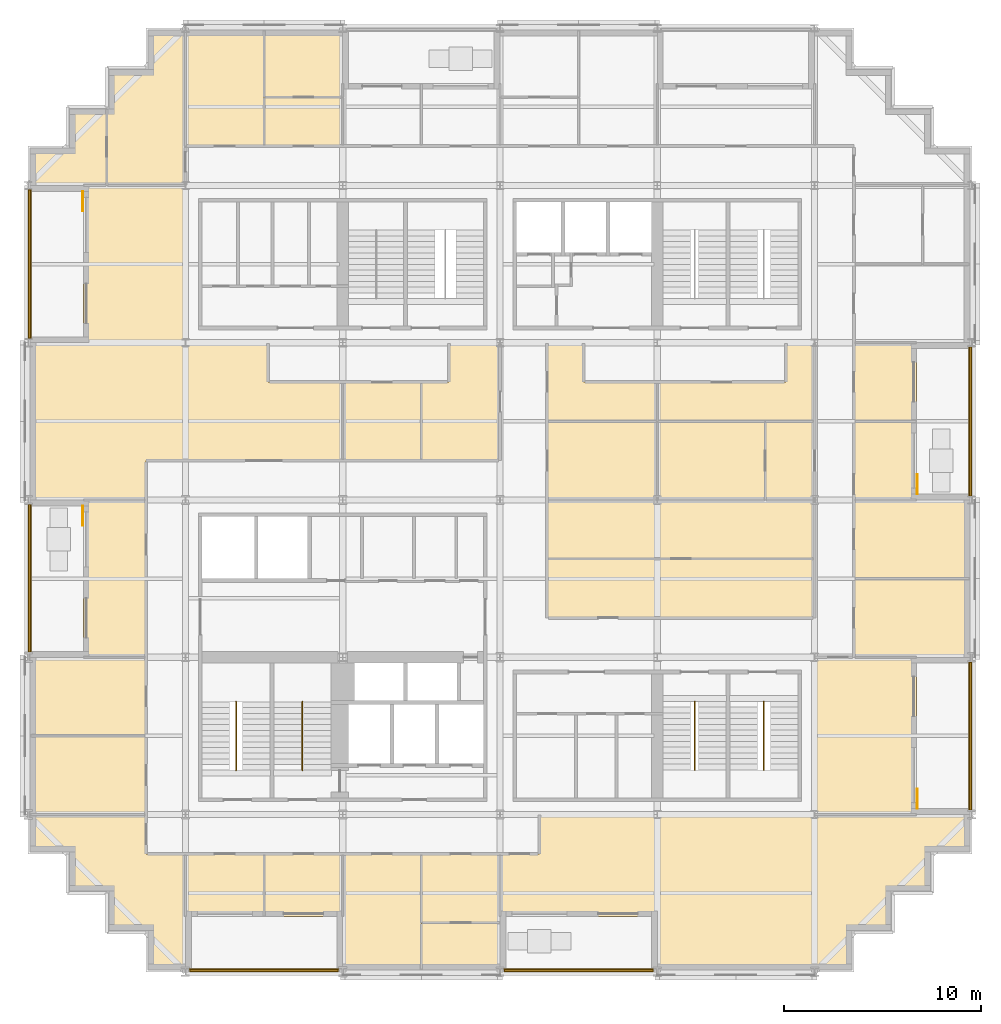
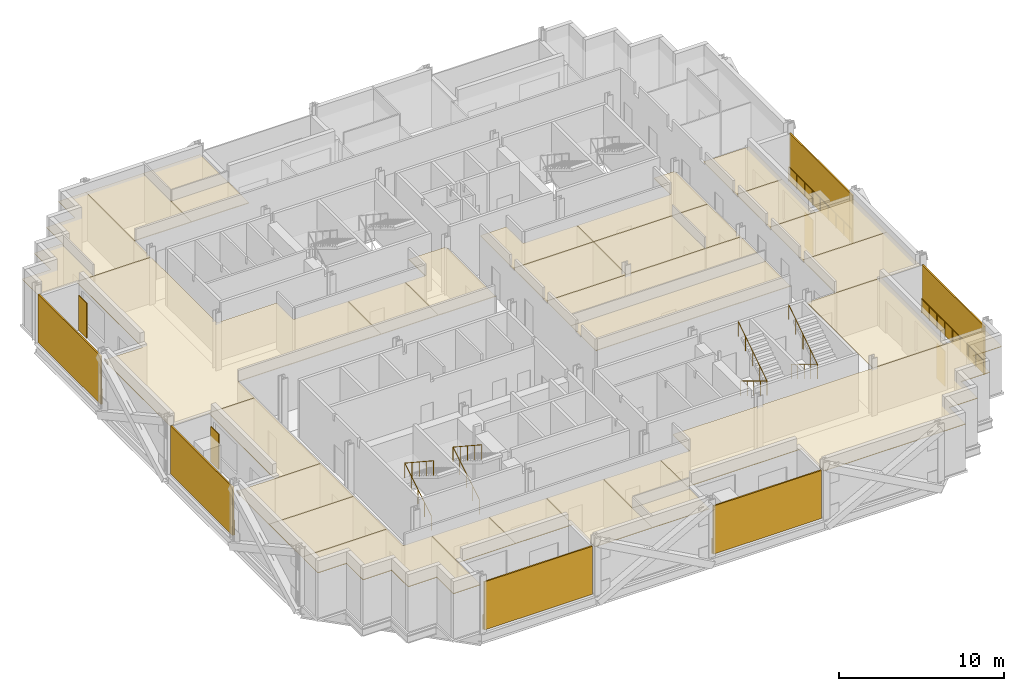
# One storey, part 13 of 15: 30 coverings, 10 railings, 10 shading devices.
"""IFC4 building model written with IfcOpenShell, lengths in metres."""

from ifc_helpers import new_model, si_unit, direction, frame, origin, origin_2d, place, context, subcontext, project, spatial, polyline, rectangle, circle, outline, extrude, material, layer, layer_set, type_object, element, save


model = new_model("IFC4")

# Units and contexts
model_context = context("Model", 3, precision=1e-05, world=origin(), true_north=direction((0.0, 1.0)))
body_context = subcontext(model_context, "Body", "Model", "MODEL_VIEW")
ifc_project = project(units=[si_unit("LENGTHUNIT", "METRE"), si_unit("AREAUNIT", "SQUARE_METRE"), si_unit("VOLUMEUNIT", "CUBIC_METRE"), si_unit("PLANEANGLEUNIT", "RADIAN"), si_unit("MASSUNIT", "GRAM", prefix="KILO")], contexts=[model_context])

# Site, building, storey
site_placement = place(None, origin())
site = spatial("IfcSite", under=ifc_project, at=site_placement, CompositionType="ELEMENT")
building_placement = place(site_placement, origin())
building = spatial("IfcBuilding", under=site, at=building_placement, Name="Immortelle Media Tower", CompositionType="ELEMENT")
storey_placement = place(building_placement, frame((0.0, 0.0, 61.199951171875)))
storey = spatial("IfcBuildingStorey", under=building, at=storey_placement, Name="L10", CompositionType="ELEMENT", Elevation=61.199951171875)

# Railings
ifc_material_1 = material(Name="Powder-coated aluminium fretwork panel, laminated glass backing", Category="aluminium")
railing_type_1 = type_object("IfcRailingType", Name="Fretwork balustrade 1100", PredefinedType="BALUSTRADE", material=ifc_material_1)
railing_1_placement = place(storey_placement, frame((0.139892578125, 39.79150390625, 0.0)))
element("IfcRailing", 1, at=railing_1_placement, inside=storey, type_object=railing_type_1, Name="Fretwork balustrade L10 W0", PredefinedType="BALUSTRADE", context=body_context, shape_type="SweptSolid", body=[
    extrude(circle(Radius=0.02490234375, at=origin_2d()), frame((0.0, 0.0, 1.0751953125), z_axis=(0.0, -1.0, 0.0), x_axis=(1.0, 0.0, 0.0)), (0.0, 0.0, 1.0), 7.574462890625),
    extrude(circle(Radius=0.02001953125, at=origin_2d()), origin(), (0.0, 0.0, 1.0), 1.050048828125),
    extrude(circle(Radius=0.02001953125, at=origin_2d()), frame((0.0, -0.94677734375, 0.0)), (0.0, 0.0, 1.0), 1.050048828125),
    extrude(circle(Radius=0.02001953125, at=origin_2d()), frame((0.0, -1.8935546875, 0.0)), (0.0, 0.0, 1.0), 1.050048828125),
    extrude(circle(Radius=0.02001953125, at=origin_2d()), frame((0.0, -2.84033203125, 0.0)), (0.0, 0.0, 1.0), 1.050048828125),
    extrude(circle(Radius=0.02001953125, at=origin_2d()), frame((0.0, -3.787109375, 0.0)), (0.0, 0.0, 1.0), 1.050048828125),
    extrude(circle(Radius=0.02001953125, at=origin_2d()), frame((0.0, -4.734130859375, 0.0)), (0.0, 0.0, 1.0), 1.050048828125),
    extrude(circle(Radius=0.02001953125, at=origin_2d()), frame((0.0, -5.680908203125, 0.0)), (0.0, 0.0, 1.0), 1.050048828125),
    extrude(circle(Radius=0.02001953125, at=origin_2d()), frame((0.0, -6.627685546875, 0.0)), (0.0, 0.0, 1.0), 1.050048828125),
    extrude(circle(Radius=0.02001953125, at=origin_2d()), frame((0.0, -7.574462890625, 0.0)), (0.0, 0.0, 1.0), 1.050048828125),
])
railing_2_placement = place(storey_placement, frame((0.139892578125, 23.782958984375, 0.0)))
element("IfcRailing", 2, at=railing_2_placement, inside=storey, type_object=railing_type_1, Name="Fretwork balustrade L10 W2", PredefinedType="BALUSTRADE", context=body_context, shape_type="SweptSolid", body=[
    extrude(circle(Radius=0.02490234375, at=origin_2d()), frame((0.0, 0.0, 1.0751953125), z_axis=(0.0, -1.0, 0.0), x_axis=(1.0, 0.0, 0.0)), (0.0, 0.0, 1.0), 7.517578125),
    extrude(circle(Radius=0.02001953125, at=origin_2d()), origin(), (0.0, 0.0, 1.0), 1.050048828125),
    extrude(circle(Radius=0.02001953125, at=origin_2d()), frame((0.0, -0.939697265625, 0.0)), (0.0, 0.0, 1.0), 1.050048828125),
    extrude(circle(Radius=0.02001953125, at=origin_2d()), frame((0.0, -1.87939453125, 0.0)), (0.0, 0.0, 1.0), 1.050048828125),
    extrude(circle(Radius=0.02001953125, at=origin_2d()), frame((0.0, -2.819091796875, 0.0)), (0.0, 0.0, 1.0), 1.050048828125),
    extrude(circle(Radius=0.02001953125, at=origin_2d()), frame((0.0, -3.7587890625, 0.0)), (0.0, 0.0, 1.0), 1.050048828125),
    extrude(circle(Radius=0.02001953125, at=origin_2d()), frame((0.0, -4.698486328125, 0.0)), (0.0, 0.0, 1.0), 1.050048828125),
    extrude(circle(Radius=0.02001953125, at=origin_2d()), frame((0.0, -5.63818359375, 0.0)), (0.0, 0.0, 1.0), 1.050048828125),
    extrude(circle(Radius=0.02001953125, at=origin_2d()), frame((0.0, -6.577880859375, 0.0)), (0.0, 0.0, 1.0), 1.050048828125),
    extrude(circle(Radius=0.02001953125, at=origin_2d()), frame((0.0, -7.517578125, 0.0)), (0.0, 0.0, 1.0), 1.050048828125),
])
railing_3_placement = place(storey_placement, frame((8.216064453125, 0.139892578125, 0.0)))
element("IfcRailing", 3, at=railing_3_placement, inside=storey, type_object=railing_type_1, Name="Fretwork balustrade L10 S0", PredefinedType="BALUSTRADE", context=body_context, shape_type="SweptSolid", body=[
    extrude(circle(Radius=0.02490234375, at=origin_2d()), frame((0.0, 0.0, 1.0751953125), z_axis=(1.0, 0.0, 0.0), x_axis=(0.0, 1.0, 0.0)), (0.0, 0.0, 1.0), 7.56298828125),
    extrude(circle(Radius=0.02001953125, at=origin_2d()), origin(), (0.0, 0.0, 1.0), 1.050048828125),
    extrude(circle(Radius=0.02001953125, at=origin_2d()), frame((0.9453125, 0.0, 0.0)), (0.0, 0.0, 1.0), 1.050048828125),
    extrude(circle(Radius=0.02001953125, at=origin_2d()), frame((1.890625, 0.0, 0.0)), (0.0, 0.0, 1.0), 1.050048828125),
    extrude(circle(Radius=0.02001953125, at=origin_2d()), frame((2.836181640625, 0.0, 0.0)), (0.0, 0.0, 1.0), 1.050048828125),
    extrude(circle(Radius=0.02001953125, at=origin_2d()), frame((3.781494140625, 0.0, 0.0)), (0.0, 0.0, 1.0), 1.050048828125),
    extrude(circle(Radius=0.02001953125, at=origin_2d()), frame((4.726806640625, 0.0, 0.0)), (0.0, 0.0, 1.0), 1.050048828125),
    extrude(circle(Radius=0.02001953125, at=origin_2d()), frame((5.67236328125, 0.0, 0.0)), (0.0, 0.0, 1.0), 1.050048828125),
    extrude(circle(Radius=0.02001953125, at=origin_2d()), frame((6.61767578125, 0.0, 0.0)), (0.0, 0.0, 1.0), 1.050048828125),
    extrude(circle(Radius=0.02001953125, at=origin_2d()), frame((7.56298828125, 0.0, 0.0)), (0.0, 0.0, 1.0), 1.050048828125),
])
railing_4_placement = place(storey_placement, frame((24.216064453125, 0.139892578125, 0.0)))
element("IfcRailing", 4, at=railing_4_placement, inside=storey, type_object=railing_type_1, Name="Fretwork balustrade L10 S2", PredefinedType="BALUSTRADE", context=body_context, shape_type="SweptSolid", body=[
    extrude(circle(Radius=0.02490234375, at=origin_2d()), frame((0.0, 0.0, 1.0751953125), z_axis=(1.0, 0.0, 0.0), x_axis=(0.0, 1.0, 0.0)), (0.0, 0.0, 1.0), 7.56787109375),
    extrude(circle(Radius=0.02001953125, at=origin_2d()), origin(), (0.0, 0.0, 1.0), 1.050048828125),
    extrude(circle(Radius=0.02001953125, at=origin_2d()), frame((0.946044921875, 0.0, 0.0)), (0.0, 0.0, 1.0), 1.050048828125),
    extrude(circle(Radius=0.02001953125, at=origin_2d()), frame((1.89208984375, 0.0, 0.0)), (0.0, 0.0, 1.0), 1.050048828125),
    extrude(circle(Radius=0.02001953125, at=origin_2d()), frame((2.837890625, 0.0, 0.0)), (0.0, 0.0, 1.0), 1.050048828125),
    extrude(circle(Radius=0.02001953125, at=origin_2d()), frame((3.783935546875, 0.0, 0.0)), (0.0, 0.0, 1.0), 1.050048828125),
    extrude(circle(Radius=0.02001953125, at=origin_2d()), frame((4.72998046875, 0.0, 0.0)), (0.0, 0.0, 1.0), 1.050048828125),
    extrude(circle(Radius=0.02001953125, at=origin_2d()), frame((5.67578125, 0.0, 0.0)), (0.0, 0.0, 1.0), 1.050048828125),
    extrude(circle(Radius=0.02001953125, at=origin_2d()), frame((6.621826171875, 0.0, 0.0)), (0.0, 0.0, 1.0), 1.050048828125),
    extrude(circle(Radius=0.02001953125, at=origin_2d()), frame((7.56787109375, 0.0, 0.0)), (0.0, 0.0, 1.0), 1.050048828125),
])
railing_5_placement = place(storey_placement, frame((47.860107421875, 8.2275390625, 0.0)))
element("IfcRailing", 5, at=railing_5_placement, inside=storey, type_object=railing_type_1, Name="Fretwork balustrade L10 E0", PredefinedType="BALUSTRADE", context=body_context, shape_type="SweptSolid", body=[
    extrude(circle(Radius=0.02490234375, at=origin_2d()), frame((0.0, 0.0, 1.0751953125), z_axis=(0.0, 1.0, 0.0), x_axis=(-1.0, 0.0, 0.0)), (0.0, 0.0, 1.0), 7.5234375),
    extrude(circle(Radius=0.02001953125, at=origin_2d()), origin(), (0.0, 0.0, 1.0), 1.050048828125),
    extrude(circle(Radius=0.02001953125, at=origin_2d()), frame((0.0, 0.9404296875, 0.0)), (0.0, 0.0, 1.0), 1.050048828125),
    extrude(circle(Radius=0.02001953125, at=origin_2d()), frame((0.0, 1.880859375, 0.0)), (0.0, 0.0, 1.0), 1.050048828125),
    extrude(circle(Radius=0.02001953125, at=origin_2d()), frame((0.0, 2.8212890625, 0.0)), (0.0, 0.0, 1.0), 1.050048828125),
    extrude(circle(Radius=0.02001953125, at=origin_2d()), frame((0.0, 3.76171875, 0.0)), (0.0, 0.0, 1.0), 1.050048828125),
    extrude(circle(Radius=0.02001953125, at=origin_2d()), frame((0.0, 4.7021484375, 0.0)), (0.0, 0.0, 1.0), 1.050048828125),
    extrude(circle(Radius=0.02001953125, at=origin_2d()), frame((0.0, 5.642578125, 0.0)), (0.0, 0.0, 1.0), 1.050048828125),
    extrude(circle(Radius=0.02001953125, at=origin_2d()), frame((0.0, 6.5830078125, 0.0)), (0.0, 0.0, 1.0), 1.050048828125),
    extrude(circle(Radius=0.02001953125, at=origin_2d()), frame((0.0, 7.5234375, 0.0)), (0.0, 0.0, 1.0), 1.050048828125),
])
railing_6_placement = place(storey_placement, frame((47.860107421875, 24.199462890625, 0.0)))
element("IfcRailing", 6, at=railing_6_placement, inside=storey, type_object=railing_type_1, Name="Fretwork balustrade L10 E2", PredefinedType="BALUSTRADE", context=body_context, shape_type="SweptSolid", body=[
    extrude(circle(Radius=0.02490234375, at=origin_2d()), frame((0.0, 0.0, 1.0751953125), z_axis=(0.0, 1.0, 0.0), x_axis=(-1.0, 0.0, 0.0)), (0.0, 0.0, 1.0), 7.60107421875),
    extrude(circle(Radius=0.02001953125, at=origin_2d()), origin(), (0.0, 0.0, 1.0), 1.050048828125),
    extrude(circle(Radius=0.02001953125, at=origin_2d()), frame((0.0, 0.9501953125, 0.0)), (0.0, 0.0, 1.0), 1.050048828125),
    extrude(circle(Radius=0.02001953125, at=origin_2d()), frame((0.0, 1.900390625, 0.0)), (0.0, 0.0, 1.0), 1.050048828125),
    extrude(circle(Radius=0.02001953125, at=origin_2d()), frame((0.0, 2.850341796875, 0.0)), (0.0, 0.0, 1.0), 1.050048828125),
    extrude(circle(Radius=0.02001953125, at=origin_2d()), frame((0.0, 3.800537109375, 0.0)), (0.0, 0.0, 1.0), 1.050048828125),
    extrude(circle(Radius=0.02001953125, at=origin_2d()), frame((0.0, 4.750732421875, 0.0)), (0.0, 0.0, 1.0), 1.050048828125),
    extrude(circle(Radius=0.02001953125, at=origin_2d()), frame((0.0, 5.70068359375, 0.0)), (0.0, 0.0, 1.0), 1.050048828125),
    extrude(circle(Radius=0.02001953125, at=origin_2d()), frame((0.0, 6.65087890625, 0.0)), (0.0, 0.0, 1.0), 1.050048828125),
    extrude(circle(Radius=0.02001953125, at=origin_2d()), frame((0.0, 7.60107421875, 0.0)), (0.0, 0.0, 1.0), 1.050048828125),
])

# Shading devices
ifc_material_2 = material(Name="Pale aluminium louvre blades", Category="aluminium")
ifc_layer_1 = layer(ifc_material_2, 0.10009765625)
ifc_layer_set_1 = layer_set([ifc_layer_1], Name="Pale aluminium louvre blades")
shading_device_type_1 = type_object("IfcShadingDeviceType", Name="Jalousie screen 100", PredefinedType="JALOUSIE", material=ifc_layer_set_1)
shading_device_1_placement = place(storey_placement, frame((0.050048828125, 36.004150390625, 0.0), z_axis=(0.0, 0.0, 1.0), x_axis=(0.0, -1.0, 0.0)))
element("IfcShadingDevice", 7, at=shading_device_1_placement, inside=storey, type_object=shading_device_type_1, Name="Jalousie screen L10 W0", PredefinedType="JALOUSIE", context=body_context, shape_type="SweptSolid", body=[
    extrude(rectangle(XDim=7.574462890625, YDim=0.10009765625, at=origin_2d()), origin(), (0.0, 0.0, 1.0), 3.556884765625),
])
shading_device_2_placement = place(storey_placement, frame((0.050048828125, 20.024169921875, 0.0), z_axis=(0.0, 0.0, 1.0), x_axis=(0.0, -1.0, 0.0)))
element("IfcShadingDevice", 8, at=shading_device_2_placement, inside=storey, type_object=shading_device_type_1, Name="Jalousie screen L10 W2", PredefinedType="JALOUSIE", context=body_context, shape_type="SweptSolid", body=[
    extrude(rectangle(XDim=7.517578125, YDim=0.10009765625, at=origin_2d()), origin(), (0.0, 0.0, 1.0), 3.556884765625),
])
shading_device_3_placement = place(storey_placement, frame((11.99755859375, 0.050048828125, 0.0), z_axis=(0.0, 0.0, 1.0), x_axis=(1.0, 0.0, 0.0)))
element("IfcShadingDevice", 9, at=shading_device_3_placement, inside=storey, type_object=shading_device_type_1, Name="Jalousie screen L10 S0", PredefinedType="JALOUSIE", context=body_context, shape_type="SweptSolid", body=[
    extrude(rectangle(XDim=7.56298828125, YDim=0.10009765625, at=origin_2d()), origin(), (0.0, 0.0, 1.0), 3.556884765625),
])
shading_device_4_placement = place(storey_placement, frame((28.0, 0.050048828125, 0.0), z_axis=(0.0, 0.0, 1.0), x_axis=(1.0, 0.0, 0.0)))
element("IfcShadingDevice", 10, at=shading_device_4_placement, inside=storey, type_object=shading_device_type_1, Name="Jalousie screen L10 S2", PredefinedType="JALOUSIE", context=body_context, shape_type="SweptSolid", body=[
    extrude(rectangle(XDim=7.568115234375, YDim=0.10009765625, at=origin_2d()), origin(), (0.0, 0.0, 1.0), 3.556884765625),
])
shading_device_5_placement = place(storey_placement, frame((47.949951171875, 11.9892578125, 0.0), z_axis=(0.0, 0.0, 1.0), x_axis=(0.0, 1.0, 0.0)))
element("IfcShadingDevice", 11, at=shading_device_5_placement, inside=storey, type_object=shading_device_type_1, Name="Jalousie screen L10 E0", PredefinedType="JALOUSIE", context=body_context, shape_type="SweptSolid", body=[
    extrude(rectangle(XDim=7.5234375, YDim=0.10009765625, at=origin_2d()), origin(), (0.0, 0.0, 1.0), 3.556884765625),
])
shading_device_6_placement = place(storey_placement, frame((47.949951171875, 28.0, 0.0), z_axis=(0.0, 0.0, 1.0), x_axis=(0.0, 1.0, 0.0)))
element("IfcShadingDevice", 12, at=shading_device_6_placement, inside=storey, type_object=shading_device_type_1, Name="Jalousie screen L10 E2", PredefinedType="JALOUSIE", context=body_context, shape_type="SweptSolid", body=[
    extrude(rectangle(XDim=7.60107421875, YDim=0.10009765625, at=origin_2d()), origin(), (0.0, 0.0, 1.0), 3.556884765625),
])
ifc_material_3 = material(Name="Pale aluminium louvre blades in a folding frame", Category="aluminium")
ifc_layer_2 = layer(ifc_material_3, 0.050048828125)
ifc_layer_set_2 = layer_set([ifc_layer_2], Name="Pale aluminium louvre blades in a folding frame")
shading_device_type_2 = type_object("IfcShadingDeviceType", Name="Louvred loggia shutter", PredefinedType="SHUTTER", material=ifc_layer_set_2)
for number, where, z_axis, x_axis, name in (
    (13, (2.77490234375, 39.199951171875, 0.0), (0.0, 0.0, 1.0), (0.0, -1.0, 0.0), "Loggia shutter L10 W0"),
    (14, (2.77490234375, 23.199951171875, 0.0), (0.0, 0.0, 1.0), (0.0, -1.0, 0.0), "Loggia shutter L10 W2"),
    (15, (45.22509765625, 8.800048828125, 0.0), (0.0, 0.0, 1.0), (0.0, 1.0, 0.0), "Loggia shutter L10 E0"),
    (16, (45.22509765625, 24.800048828125, 0.0), (0.0, 0.0, 1.0), (0.0, 1.0, 0.0), "Loggia shutter L10 E2"),
):
    element("IfcShadingDevice", number, at=place(storey_placement, frame(where, z_axis=z_axis, x_axis=x_axis)), inside=storey, type_object=shading_device_type_2, Name=name, PredefinedType="SHUTTER", context=body_context, shape_type="SweptSolid", body=[
        extrude(rectangle(XDim=1.0, YDim=0.050048828125, at=origin_2d()), origin(), (0.0, 0.0, 1.0), 2.60009765625),
    ])

# Railings
ifc_material_4 = material(Name="Stainless steel AISI 316", Category="steel")
railing_type_2 = type_object("IfcRailingType", Name="Stair guard 1100", PredefinedType="GUARDRAIL", material=ifc_material_4)
for number, where, name in (
    (17, (10.574951171875, 10.5400390625, 0.176025390625), "Stair guard SW1"),
    (18, (13.949951171875, 10.5400390625, 0.176025390625), "Stair guard SW2"),
):
    element("IfcRailing", number, at=place(storey_placement, frame(where)), inside=storey, type_object=railing_type_2, Name=name, PredefinedType="GUARDRAIL", context=body_context, shape_type="SweptSolid", body=[
        extrude(circle(Radius=0.02392578125, at=origin_2d()), frame((0.0, 0.0, 1.076171875), z_axis=(0.0, 0.854872504309, 0.518838126371), x_axis=(-1.0, 0.0, 0.0)), (0.0, 0.0, 1.0), 3.7314453125),
        extrude(circle(Radius=0.02392578125, at=origin_2d()), frame((0.0, 3.18994140625, 3.01220703125), z_axis=(0.0, -0.835568629342, 0.549386080693), x_axis=(1.0, 0.0, 0.0)), (0.0, 0.0, 1.0), 4.164794921875),
        extrude(circle(Radius=0.02099609375, at=origin_2d()), origin(), (0.0, 0.0, 1.0), 1.052001953125),
        extrude(circle(Radius=0.02099609375, at=origin_2d()), frame((0.0, 0.79736328125, 0.48388671875)), (0.0, 0.0, 1.0), 1.052001953125),
        extrude(circle(Radius=0.02099609375, at=origin_2d()), frame((0.0, 1.594970703125, 0.968017578125)), (0.0, 0.0, 1.0), 1.052001953125),
        extrude(circle(Radius=0.02099609375, at=origin_2d()), frame((0.0, 2.392578125, 1.4521484375)), (0.0, 0.0, 1.0), 1.052001953125),
        extrude(circle(Radius=0.02099609375, at=origin_2d()), frame((0.0, 3.18994140625, 1.93603515625)), (0.0, 0.0, 1.0), 1.052001953125),
        extrude(circle(Radius=0.02099609375, at=origin_2d()), frame((0.0, 2.31982421875, 2.508056640625)), (0.0, 0.0, 1.0), 1.052001953125),
        extrude(circle(Radius=0.02099609375, at=origin_2d()), frame((0.0, 1.449951171875, 3.080078125)), (0.0, 0.0, 1.0), 1.052001953125),
        extrude(circle(Radius=0.02099609375, at=origin_2d()), frame((0.0, 0.580078125, 3.652099609375)), (0.0, 0.0, 1.0), 1.052001953125),
        extrude(circle(Radius=0.02099609375, at=origin_2d()), frame((0.0, -0.2900390625, 4.22412109375)), (0.0, 0.0, 1.0), 1.052001953125),
    ])
for number, where, name in (
    (19, (33.89990234375, 13.4599609375, 0.176025390625), "Stair guard SE1"),
    (20, (37.425048828125, 13.4599609375, 0.176025390625), "Stair guard SE2"),
):
    element("IfcRailing", number, at=place(storey_placement, frame(where)), inside=storey, type_object=railing_type_2, Name=name, PredefinedType="GUARDRAIL", context=body_context, shape_type="SweptSolid", body=[
        extrude(circle(Radius=0.02392578125, at=origin_2d()), frame((0.0, 0.0, 1.076171875), z_axis=(0.0, -0.854872504309, 0.518838126371), x_axis=(1.0, 0.0, 0.0)), (0.0, 0.0, 1.0), 3.7314453125),
        extrude(circle(Radius=0.02392578125, at=origin_2d()), frame((0.0, -3.18994140625, 3.01220703125), z_axis=(0.0, 0.835568629342, 0.549386080693), x_axis=(-1.0, 0.0, 0.0)), (0.0, 0.0, 1.0), 4.164794921875),
        extrude(circle(Radius=0.02099609375, at=origin_2d()), origin(), (0.0, 0.0, 1.0), 1.052001953125),
        extrude(circle(Radius=0.02099609375, at=origin_2d()), frame((0.0, -0.79736328125, 0.48388671875)), (0.0, 0.0, 1.0), 1.052001953125),
        extrude(circle(Radius=0.02099609375, at=origin_2d()), frame((0.0, -1.594970703125, 0.968017578125)), (0.0, 0.0, 1.0), 1.052001953125),
        extrude(circle(Radius=0.02099609375, at=origin_2d()), frame((0.0, -2.392578125, 1.4521484375)), (0.0, 0.0, 1.0), 1.052001953125),
        extrude(circle(Radius=0.02099609375, at=origin_2d()), frame((0.0, -3.18994140625, 1.93603515625)), (0.0, 0.0, 1.0), 1.052001953125),
        extrude(circle(Radius=0.02099609375, at=origin_2d()), frame((0.0, -2.31982421875, 2.508056640625)), (0.0, 0.0, 1.0), 1.052001953125),
        extrude(circle(Radius=0.02099609375, at=origin_2d()), frame((0.0, -1.449951171875, 3.080078125)), (0.0, 0.0, 1.0), 1.052001953125),
        extrude(circle(Radius=0.02099609375, at=origin_2d()), frame((0.0, -0.580078125, 3.652099609375)), (0.0, 0.0, 1.0), 1.052001953125),
        extrude(circle(Radius=0.02099609375, at=origin_2d()), frame((0.0, 0.2900390625, 4.22412109375)), (0.0, 0.0, 1.0), 1.052001953125),
    ])

# Coverings
ifc_material_5 = material(Name="Mineral fibre tile ceiling")
ifc_layer_3 = layer(ifc_material_5, 0.050048828125)
ifc_layer_set_3 = layer_set([ifc_layer_3], Name="Mineral fibre tile ceiling")
covering_type = type_object("IfcCoveringType", Name="Suspended ceiling 50", PredefinedType="CEILING", material=ifc_layer_set_3)
covering_1_placement = place(storey_placement, frame((0.0, 0.0, 3.341064453125)))
element("IfcCovering", 21, at=covering_1_placement, inside=storey, type_object=covering_type, Name="Ceiling L10-001", PredefinedType="CEILING", context=body_context, shape_type="SweptSolid", body=[
    extrude(outline(polyline([(16.0, 2.800048828125), (16.0, 6.0), (20.0, 6.0), (20.0, 0.10009765625), (16.0, 0.10009765625), (16.0, 2.800048828125)])), origin(), (0.0, 0.0, 1.0), 0.050048828125),
])
covering_2_placement = place(storey_placement, frame((0.0, 0.0, 3.341064453125)))
element("IfcCovering", 22, at=covering_2_placement, inside=storey, type_object=covering_type, Name="Ceiling L10-002", PredefinedType="CEILING", context=body_context, shape_type="SweptSolid", body=[
    extrude(outline(polyline([(24.0, 2.800048828125), (24.0, 2.5), (20.0, 2.5), (20.0, 6.0), (24.0, 6.0), (24.0, 2.800048828125)])), origin(), (0.0, 0.0, 1.0), 0.050048828125),
])
covering_3_placement = place(storey_placement, frame((0.0, 0.0, 3.341064453125)))
element("IfcCovering", 23, at=covering_3_placement, inside=storey, type_object=covering_type, Name="Ceiling L10-003", PredefinedType="CEILING", context=body_context, shape_type="SweptSolid", body=[
    extrude(outline(polyline([(24.0, 0.10009765625), (20.0, 0.10009765625), (20.0, 2.5), (24.0, 2.5), (24.0, 0.10009765625)])), origin(), (0.0, 0.0, 1.0), 0.050048828125),
])
covering_4_placement = place(storey_placement, frame((0.0, 0.0, 3.341064453125)))
element("IfcCovering", 24, at=covering_4_placement, inside=storey, type_object=covering_type, Name="Ceiling L10-004", PredefinedType="CEILING", context=body_context, shape_type="SweptSolid", body=[
    extrude(outline(polyline([(8.0, 6.0), (12.0, 6.0), (12.0, 2.800048828125), (8.0, 2.800048828125), (8.0, 6.0)])), origin(), (0.0, 0.0, 1.0), 0.050048828125),
])
covering_5_placement = place(storey_placement, frame((0.0, 0.0, 3.341064453125)))
element("IfcCovering", 25, at=covering_5_placement, inside=storey, type_object=covering_type, Name="Ceiling L10-005", PredefinedType="CEILING", context=body_context, shape_type="SweptSolid", body=[
    extrude(outline(polyline([(16.0, 6.0), (16.0, 2.800048828125), (12.0, 2.800048828125), (12.0, 6.0), (16.0, 6.0)])), origin(), (0.0, 0.0, 1.0), 0.050048828125),
])
covering_6_placement = place(storey_placement, frame((0.0, 0.0, 3.341064453125)))
element("IfcCovering", 26, at=covering_6_placement, inside=storey, type_object=covering_type, Name="Ceiling L10-006", PredefinedType="CEILING", context=body_context, shape_type="SweptSolid", body=[
    extrude(outline(polyline([(24.0, 2.800048828125), (24.0, 6.0), (26.0, 6.0), (26.0, 8.0), (32.0, 8.0), (40.0, 8.0), (45.199951171875, 8.0), (47.89990234375, 8.0), (47.89990234375, 6.10009765625), (45.89990234375, 6.10009765625), (45.89990234375, 4.10009765625), (43.89990234375, 4.10009765625), (43.89990234375, 2.10009765625), (41.89990234375, 2.10009765625), (41.89990234375, 0.10009765625), (40.0, 0.10009765625), (32.0, 0.10009765625), (32.0, 2.800048828125), (24.0, 2.800048828125)])), origin(), (0.0, 0.0, 1.0), 0.050048828125),
])
covering_7_placement = place(storey_placement, frame((0.0, 0.0, 3.341064453125)))
element("IfcCovering", 27, at=covering_7_placement, inside=storey, type_object=covering_type, Name="Ceiling L10-007", PredefinedType="CEILING", context=body_context, shape_type="SweptSolid", body=[
    extrude(outline(polyline([(6.10009765625, 0.10009765625), (6.10009765625, 2.10009765625), (4.10009765625, 2.10009765625), (4.10009765625, 4.10009765625), (2.10009765625, 4.10009765625), (2.10009765625, 6.10009765625), (0.10009765625, 6.10009765625), (0.10009765625, 8.0), (6.0, 8.0), (6.0, 6.0), (8.0, 6.0), (8.0, 2.800048828125), (8.0, 0.10009765625), (6.10009765625, 0.10009765625)])), origin(), (0.0, 0.0, 1.0), 0.050048828125),
])
covering_8_placement = place(storey_placement, frame((0.0, 0.0, 3.341064453125)))
element("IfcCovering", 28, at=covering_8_placement, inside=storey, type_object=covering_type, Name="Ceiling L10-008", PredefinedType="CEILING", context=body_context, shape_type="SweptSolid", body=[
    extrude(outline(polyline([(0.10009765625, 8.0), (0.10009765625, 12.0), (6.0, 12.0), (6.0, 8.0), (0.10009765625, 8.0)])), origin(), (0.0, 0.0, 1.0), 0.050048828125),
])
covering_9_placement = place(storey_placement, frame((0.0, 0.0, 3.341064453125)))
element("IfcCovering", 29, at=covering_9_placement, inside=storey, type_object=covering_type, Name="Ceiling L10-009", PredefinedType="CEILING", context=body_context, shape_type="SweptSolid", body=[
    extrude(outline(polyline([(0.10009765625, 16.0), (2.800048828125, 16.0), (6.0, 16.0), (6.0, 12.0), (0.10009765625, 12.0), (0.10009765625, 16.0)])), origin(), (0.0, 0.0, 1.0), 0.050048828125),
])
covering_10_placement = place(storey_placement, frame((0.0, 0.0, 3.341064453125)))
element("IfcCovering", 30, at=covering_10_placement, inside=storey, type_object=covering_type, Name="Ceiling L10-010", PredefinedType="CEILING", context=body_context, shape_type="SweptSolid", body=[
    extrude(outline(polyline([(45.199951171875, 8.0), (40.0, 8.0), (40.0, 16.0), (42.0, 16.0), (45.199951171875, 16.0), (45.199951171875, 8.0)])), origin(), (0.0, 0.0, 1.0), 0.050048828125),
])
covering_11_placement = place(storey_placement, frame((0.0, 0.0, 3.341064453125)))
element("IfcCovering", 31, at=covering_11_placement, inside=storey, type_object=covering_type, Name="Ceiling L10-011", PredefinedType="CEILING", context=body_context, shape_type="SweptSolid", body=[
    extrude(outline(polyline([(6.0, 19.449951171875), (6.0, 16.0), (2.800048828125, 16.0), (2.800048828125, 24.0), (6.0, 24.0), (6.0, 19.449951171875)])), origin(), (0.0, 0.0, 1.0), 0.050048828125),
])
covering_12_placement = place(storey_placement, frame((0.0, 0.0, 3.341064453125)))
element("IfcCovering", 32, at=covering_12_placement, inside=storey, type_object=covering_type, Name="Ceiling L10-012", PredefinedType="CEILING", context=body_context, shape_type="SweptSolid", body=[
    extrude(outline(polyline([(42.0, 16.0), (42.0, 20.0), (47.89990234375, 20.0), (47.89990234375, 16.0), (45.199951171875, 16.0), (42.0, 16.0)])), origin(), (0.0, 0.0, 1.0), 0.050048828125),
])
covering_13_placement = place(storey_placement, frame((0.0, 0.0, 3.341064453125)))
element("IfcCovering", 33, at=covering_13_placement, inside=storey, type_object=covering_type, Name="Ceiling L10-013", PredefinedType="CEILING", context=body_context, shape_type="SweptSolid", body=[
    extrude(outline(polyline([(42.0, 24.0), (45.199951171875, 24.0), (47.89990234375, 24.0), (47.89990234375, 20.0), (42.0, 20.0), (42.0, 24.0)])), origin(), (0.0, 0.0, 1.0), 0.050048828125),
])
covering_14_placement = place(storey_placement, frame((0.0, 0.0, 3.341064453125)))
element("IfcCovering", 34, at=covering_14_placement, inside=storey, type_object=covering_type, Name="Ceiling L10-014", PredefinedType="CEILING", context=body_context, shape_type="SweptSolid", body=[
    extrude(outline(polyline([(26.39990234375, 18.0), (26.39990234375, 21.0), (40.0, 21.0), (40.0, 18.0), (38.550048828125, 18.0), (36.0, 18.0), (32.0, 18.0), (27.0, 18.0), (26.39990234375, 18.0)])), origin(), (0.0, 0.0, 1.0), 0.050048828125),
])
covering_15_placement = place(storey_placement, frame((0.0, 0.0, 3.341064453125)))
element("IfcCovering", 35, at=covering_15_placement, inside=storey, type_object=covering_type, Name="Ceiling L10-015", PredefinedType="CEILING", context=body_context, shape_type="SweptSolid", body=[
    extrude(outline(polyline([(26.39990234375, 24.0), (32.0, 24.0), (40.0, 24.0), (40.0, 21.0), (26.39990234375, 21.0), (26.39990234375, 24.0)])), origin(), (0.0, 0.0, 1.0), 0.050048828125),
])
covering_16_placement = place(storey_placement, frame((0.0, 0.0, 3.341064453125)))
element("IfcCovering", 36, at=covering_16_placement, inside=storey, type_object=covering_type, Name="Ceiling L10-016", PredefinedType="CEILING", context=body_context, shape_type="SweptSolid", body=[
    extrude(outline(polyline([(40.0, 28.0), (40.0, 24.0), (37.5, 24.0), (37.5, 28.0), (40.0, 28.0)])), origin(), (0.0, 0.0, 1.0), 0.050048828125),
])
covering_17_placement = place(storey_placement, frame((0.0, 0.0, 3.341064453125)))
element("IfcCovering", 37, at=covering_17_placement, inside=storey, type_object=covering_type, Name="Ceiling L10-017", PredefinedType="CEILING", context=body_context, shape_type="SweptSolid", body=[
    extrude(outline(polyline([(37.5, 28.0), (37.5, 24.0), (32.0, 24.0), (32.0, 28.0), (37.5, 28.0)])), origin(), (0.0, 0.0, 1.0), 0.050048828125),
])
covering_18_placement = place(storey_placement, frame((0.0, 0.0, 3.341064453125)))
element("IfcCovering", 38, at=covering_18_placement, inside=storey, type_object=covering_type, Name="Ceiling L10-018", PredefinedType="CEILING", context=body_context, shape_type="SweptSolid", body=[
    extrude(outline(polyline([(32.0, 30.0), (38.550048828125, 30.0), (38.550048828125, 32.0), (40.0, 32.0), (40.0, 28.0), (32.0, 28.0), (32.0, 30.0)])), origin(), (0.0, 0.0, 1.0), 0.050048828125),
])
covering_19_placement = place(storey_placement, frame((0.0, 0.0, 3.341064453125)))
element("IfcCovering", 39, at=covering_19_placement, inside=storey, type_object=covering_type, Name="Ceiling L10-019", PredefinedType="CEILING", context=body_context, shape_type="SweptSolid", body=[
    extrude(outline(polyline([(26.39990234375, 28.0), (32.0, 28.0), (32.0, 24.0), (26.39990234375, 24.0), (26.39990234375, 28.0)])), origin(), (0.0, 0.0, 1.0), 0.050048828125),
])
covering_20_placement = place(storey_placement, frame((0.0, 0.0, 3.341064453125)))
element("IfcCovering", 40, at=covering_20_placement, inside=storey, type_object=covering_type, Name="Ceiling L10-020", PredefinedType="CEILING", context=body_context, shape_type="SweptSolid", body=[
    extrude(outline(polyline([(26.39990234375, 32.0), (28.25, 32.0), (28.25, 30.0), (32.0, 30.0), (32.0, 28.0), (26.39990234375, 28.0), (26.39990234375, 32.0)])), origin(), (0.0, 0.0, 1.0), 0.050048828125),
])
covering_21_placement = place(storey_placement, frame((0.0, 0.0, 3.341064453125)))
element("IfcCovering", 41, at=covering_21_placement, inside=storey, type_object=covering_type, Name="Ceiling L10-021", PredefinedType="CEILING", context=body_context, shape_type="SweptSolid", body=[
    extrude(outline(polyline([(42.0, 24.0), (42.0, 28.0), (45.199951171875, 28.0), (45.199951171875, 24.0), (42.0, 24.0)])), origin(), (0.0, 0.0, 1.0), 0.050048828125),
])
covering_22_placement = place(storey_placement, frame((0.0, 0.0, 3.341064453125)))
element("IfcCovering", 42, at=covering_22_placement, inside=storey, type_object=covering_type, Name="Ceiling L10-022", PredefinedType="CEILING", context=body_context, shape_type="SweptSolid", body=[
    extrude(outline(polyline([(42.0, 32.0), (45.199951171875, 32.0), (45.199951171875, 28.0), (42.0, 28.0), (42.0, 32.0)])), origin(), (0.0, 0.0, 1.0), 0.050048828125),
])
covering_23_placement = place(storey_placement, frame((0.0, 0.0, 3.341064453125)))
element("IfcCovering", 43, at=covering_23_placement, inside=storey, type_object=covering_type, Name="Ceiling L10-023", PredefinedType="CEILING", context=body_context, shape_type="SweptSolid", body=[
    extrude(outline(polyline([(16.0, 30.0), (20.0, 30.0), (20.0, 26.0), (16.0, 26.0), (16.0, 30.0)])), origin(), (0.0, 0.0, 1.0), 0.050048828125),
])
covering_24_placement = place(storey_placement, frame((0.0, 0.0, 3.341064453125)))
element("IfcCovering", 44, at=covering_24_placement, inside=storey, type_object=covering_type, Name="Ceiling L10-024", PredefinedType="CEILING", context=body_context, shape_type="SweptSolid", body=[
    extrude(outline(polyline([(21.39990234375, 30.0), (21.39990234375, 32.0), (24.0, 32.0), (24.0, 26.0), (20.0, 26.0), (20.0, 30.0), (21.39990234375, 30.0)])), origin(), (0.0, 0.0, 1.0), 0.050048828125),
])
covering_25_placement = place(storey_placement, frame((0.0, 0.0, 3.341064453125)))
element("IfcCovering", 45, at=covering_25_placement, inside=storey, type_object=covering_type, Name="Ceiling L10-025", PredefinedType="CEILING", context=body_context, shape_type="SweptSolid", body=[
    extrude(outline(polyline([(12.199951171875, 32.0), (12.199951171875, 30.0), (16.0, 30.0), (16.0, 26.0), (8.0, 26.0), (6.0, 26.0), (6.0, 24.0), (2.800048828125, 24.0), (0.10009765625, 24.0), (0.10009765625, 32.0), (2.800048828125, 32.0), (2.800048828125, 40.0), (8.0, 40.0), (8.0, 32.0), (12.199951171875, 32.0)])), origin(), (0.0, 0.0, 1.0), 0.050048828125),
])
covering_26_placement = place(storey_placement, frame((0.0, 0.0, 3.341064453125)))
element("IfcCovering", 46, at=covering_26_placement, inside=storey, type_object=covering_type, Name="Ceiling L10-029", PredefinedType="CEILING", context=body_context, shape_type="SweptSolid", body=[
    extrude(outline(polyline([(4.10009765625, 43.89990234375), (4.10009765625, 44.0), (4.10009765625, 45.89990234375), (6.10009765625, 45.89990234375), (6.10009765625, 47.89990234375), (8.0, 47.89990234375), (8.0, 44.0), (8.0, 42.0), (8.0, 40.0), (4.0, 40.0), (4.0, 43.89990234375), (4.10009765625, 43.89990234375)])), origin(), (0.0, 0.0, 1.0), 0.050048828125),
])
covering_27_placement = place(storey_placement, frame((0.0, 0.0, 3.341064453125)))
element("IfcCovering", 47, at=covering_27_placement, inside=storey, type_object=covering_type, Name="Ceiling L10-030", PredefinedType="CEILING", context=body_context, shape_type="SweptSolid", body=[
    extrude(outline(polyline([(2.10009765625, 41.89990234375), (2.10009765625, 43.89990234375), (4.0, 43.89990234375), (4.0, 40.0), (2.800048828125, 40.0), (0.10009765625, 40.0), (0.10009765625, 41.89990234375), (2.10009765625, 41.89990234375)])), origin(), (0.0, 0.0, 1.0), 0.050048828125),
])
covering_28_placement = place(storey_placement, frame((0.0, 0.0, 3.341064453125)))
element("IfcCovering", 48, at=covering_28_placement, inside=storey, type_object=covering_type, Name="Ceiling L10-035", PredefinedType="CEILING", context=body_context, shape_type="SweptSolid", body=[
    extrude(outline(polyline([(8.0, 47.89990234375), (12.0, 47.89990234375), (12.0, 42.0), (8.0, 42.0), (8.0, 47.89990234375)])), origin(), (0.0, 0.0, 1.0), 0.050048828125),
])
covering_29_placement = place(storey_placement, frame((0.0, 0.0, 3.341064453125)))
element("IfcCovering", 49, at=covering_29_placement, inside=storey, type_object=covering_type, Name="Ceiling L10-036", PredefinedType="CEILING", context=body_context, shape_type="SweptSolid", body=[
    extrude(outline(polyline([(16.0, 42.0), (12.0, 42.0), (12.0, 44.5), (16.0, 44.5), (16.0, 42.0)])), origin(), (0.0, 0.0, 1.0), 0.050048828125),
])
covering_30_placement = place(storey_placement, frame((0.0, 0.0, 3.341064453125)))
element("IfcCovering", 50, at=covering_30_placement, inside=storey, type_object=covering_type, Name="Ceiling L10-037", PredefinedType="CEILING", context=body_context, shape_type="SweptSolid", body=[
    extrude(outline(polyline([(16.0, 45.199951171875), (16.0, 44.5), (12.0, 44.5), (12.0, 47.89990234375), (16.0, 47.89990234375), (16.0, 45.199951171875)])), origin(), (0.0, 0.0, 1.0), 0.050048828125),
])

save(model, "model.ifc")
